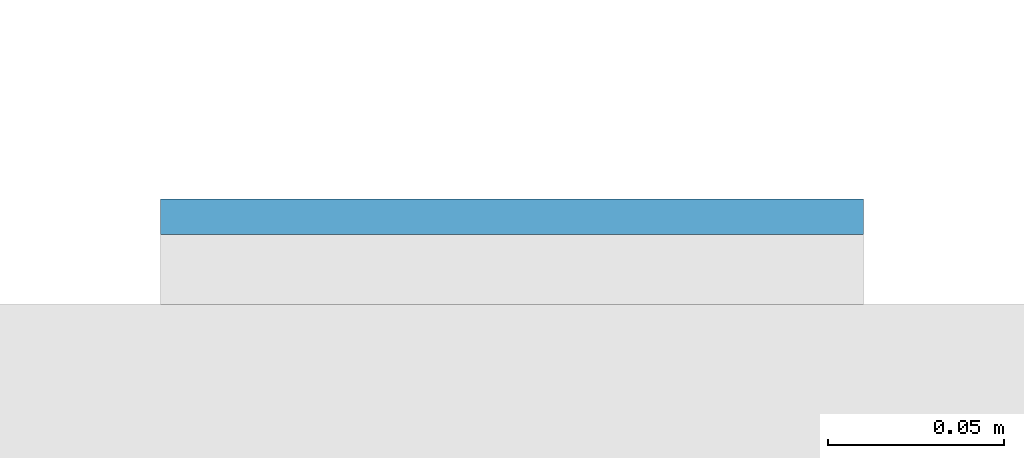
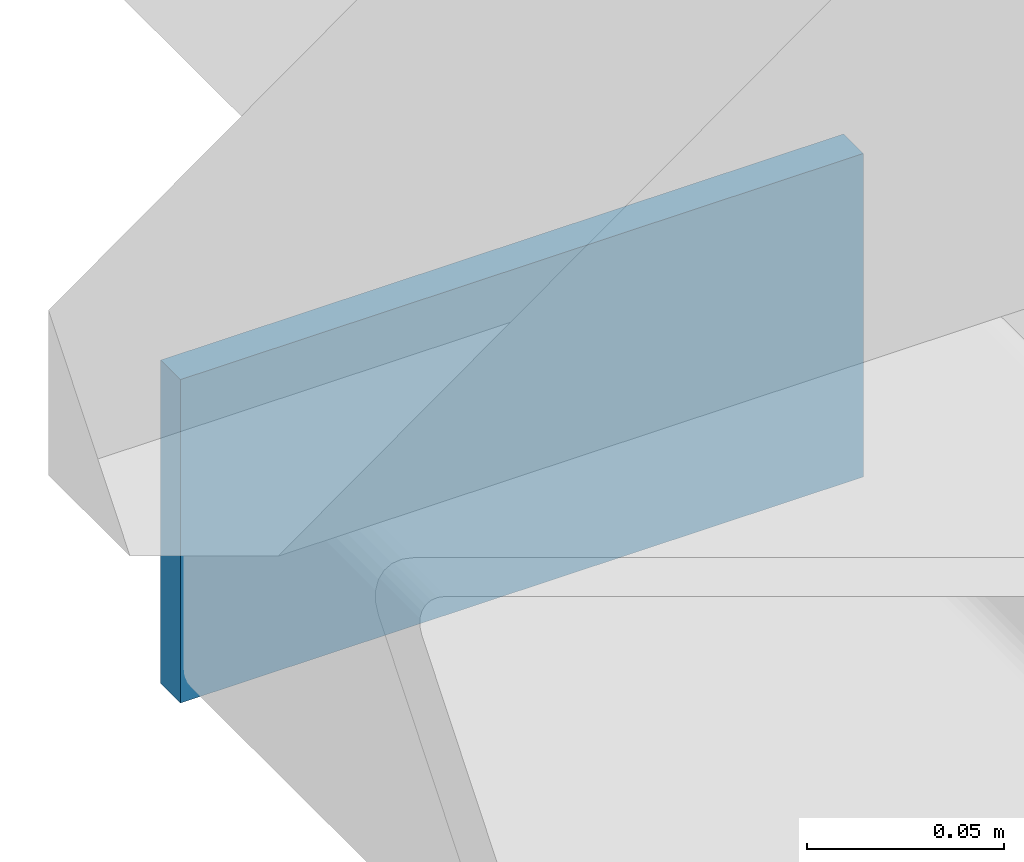
# One storey, part 9 of 20: 1 plate.
"""IFC4 building model written with IfcOpenShell, lengths in metres."""

from ifc_helpers import new_model, si_unit, direction, frame, origin, origin_2d, place, context, subcontext, project, spatial, rectangle, extrude, material, layer, layer_set, type_object, element, save


model = new_model("IFC4")

# Units and contexts
model_context = context("Model", 3, precision=1e-05, world=origin(), true_north=direction((0.0, 1.0)))
body_context = subcontext(model_context, "Body", "Model", "MODEL_VIEW")
ifc_project = project(units=[si_unit("LENGTHUNIT", "METRE"), si_unit("AREAUNIT", "SQUARE_METRE"), si_unit("VOLUMEUNIT", "CUBIC_METRE"), si_unit("PLANEANGLEUNIT", "RADIAN"), si_unit("MASSUNIT", "GRAM", prefix="KILO")], contexts=[model_context])

# Site, building, storey
site_placement = place(None, origin())
site = spatial("IfcSite", under=ifc_project, at=site_placement, CompositionType="ELEMENT")
building_placement = place(site_placement, origin())
building = spatial("IfcBuilding", under=site, at=building_placement, Name="Cleftline Residences", CompositionType="ELEMENT")
storey_placement = place(building_placement, frame((0.0, 0.0, 36.800048828125)))
storey = spatial("IfcBuildingStorey", under=building, at=storey_placement, Name="L08", CompositionType="ELEMENT", Elevation=36.800048828125)

# Plate
ifc_material = material(Name="Steel S355, hot-dip galvanised", Category="steel")
ifc_layer = layer(ifc_material, 0.010009765625)
ifc_layer_set = layer_set([ifc_layer], Name="BAGUETTE CARRIER END PLATE 200X100X10")
plate_type = type_object("IfcPlateType", Name="BAGUETTE CARRIER END PLATE 200X100X10", PredefinedType="USERDEFINED", material=ifc_layer_set)
plate_placement = place(storey_placement, frame((-0.85009765625, 44.304931640625, -0.10009765625), z_axis=(0.0, 0.0, 1.0), x_axis=(-1.0, 0.0, 0.0)))
element("IfcPlate", 1, at=plate_placement, inside=storey, type_object=plate_type, Name="Baguette carrier end plate", ObjectType="BAGUETTE CARRIER END PLATE", PredefinedType="USERDEFINED", context=body_context, shape_type="SweptSolid", body=[
    extrude(rectangle(XDim=0.199951171875, YDim=0.010009765625, at=origin_2d()), origin(), (0.0, 0.0, 1.0), 0.10009765625),
])

save(model, "model.ifc")
